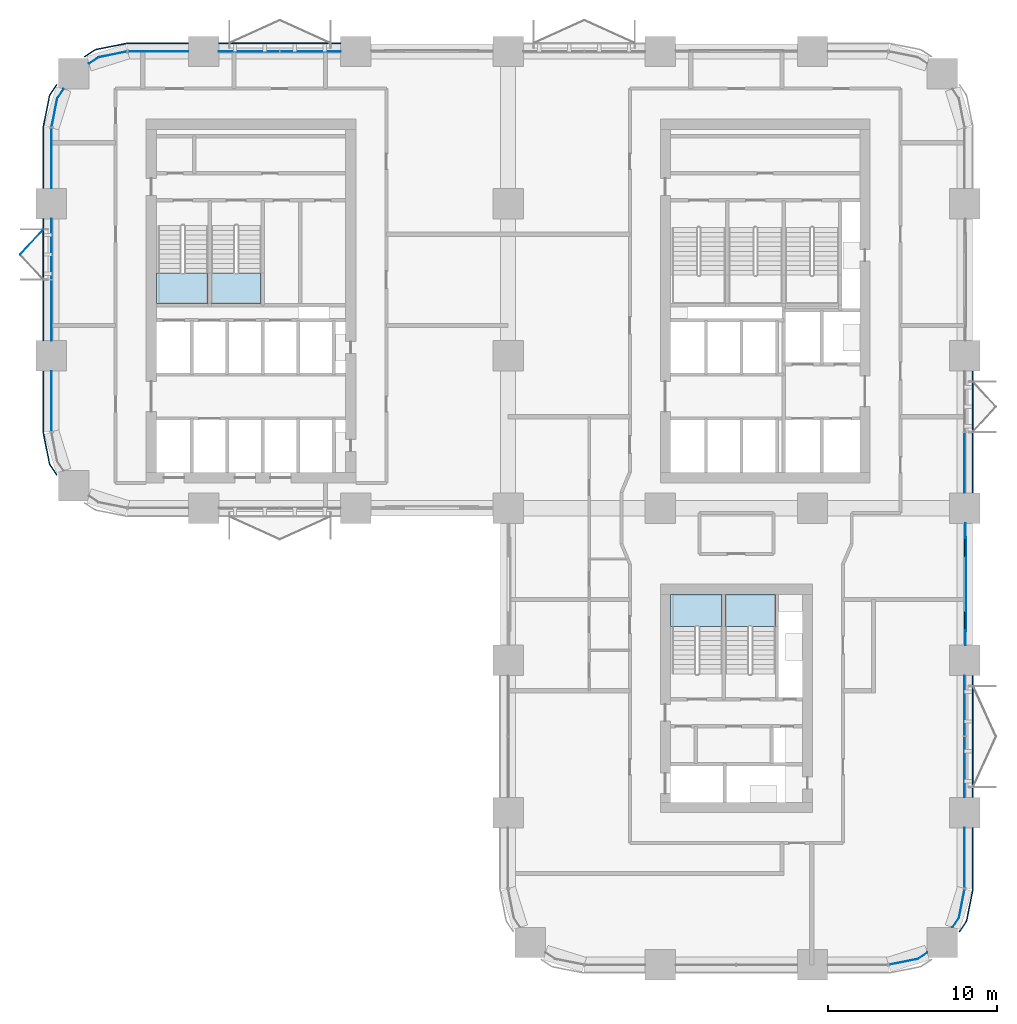
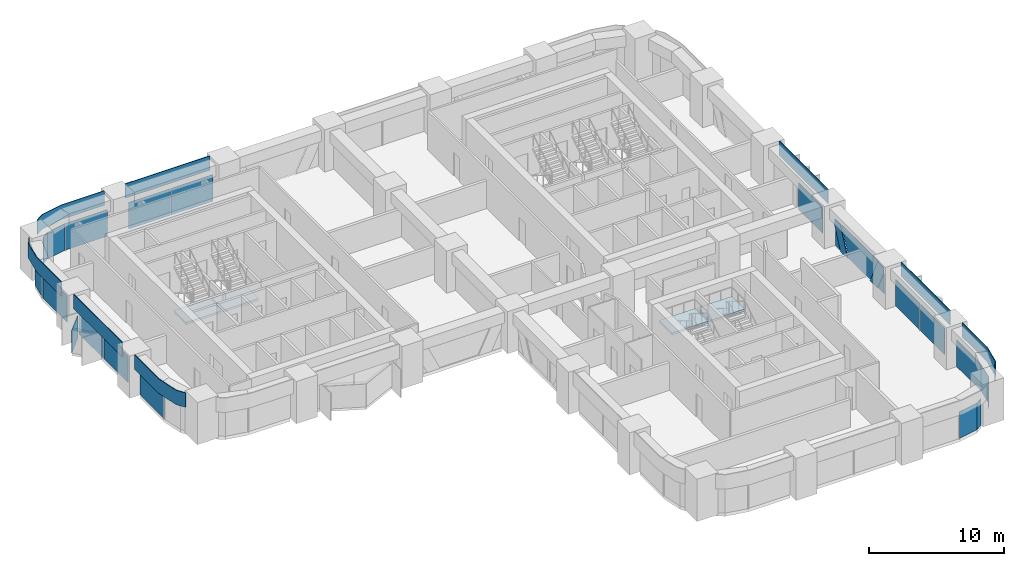
# One storey, part 10 of 18: 29 plates, 4 slabs, 14 elements without a shape of their own.
"""IFC4 building model written with IfcOpenShell, lengths in metres."""

from ifc_helpers import new_model, si_unit, direction, frame, origin, origin_2d, place, context, subcontext, project, spatial, polyline, rectangle, outline, extrude, material, layer, layer_set, type_object, element, aggregate, save


model = new_model("IFC4")

# Units and contexts
model_context = context("Model", 3, precision=1e-05, world=origin(), true_north=direction((0.0, 1.0)))
body_context = subcontext(model_context, "Body", "Model", "MODEL_VIEW")
ifc_project = project(units=[si_unit("LENGTHUNIT", "METRE"), si_unit("AREAUNIT", "SQUARE_METRE"), si_unit("VOLUMEUNIT", "CUBIC_METRE"), si_unit("PLANEANGLEUNIT", "RADIAN"), si_unit("MASSUNIT", "GRAM", prefix="KILO")], contexts=[model_context])

# Site, building, storey
site_placement = place(None, origin())
site = spatial("IfcSite", under=ifc_project, at=site_placement, CompositionType="ELEMENT")
building_placement = place(site_placement, origin())
building = spatial("IfcBuilding", under=site, at=building_placement, Name="Tessera Arch", CompositionType="ELEMENT")
storey_placement = place(building_placement, frame((0.0, 0.0, 89.199951171875)))
storey = spatial("IfcBuildingStorey", under=building, at=storey_placement, Name="L20", CompositionType="ELEMENT", Elevation=89.199951171875)

# Curtain wall, plates
ifc_material_1 = material(Name="CW1 curtain wall")
curtain_wall_type_1 = type_object("IfcCurtainWallType", Name="CW1 curtain wall", PredefinedType="NOTDEFINED", material=ifc_material_1)
curtain_wall_1_placement = place(storey_placement, origin())
curtain_wall_1 = element("IfcCurtainWall", 1, at=curtain_wall_1_placement, inside=storey, type_object=curtain_wall_type_1, Name="CW1 curtain wall N54.0/3 L20", PredefinedType="NOTDEFINED")
ifc_material_2 = material(Name="Clear low-e glass", Category="glass")
ifc_material_3 = material(Name="Clear low-e glass", Category="glass")
ifc_layer_1 = layer(ifc_material_3, 0.028076171875)
ifc_layer_set_1 = layer_set([ifc_layer_1], Name="CW1 glass panel")
plate_type_1 = type_object("IfcPlateType", Name="CW1 glass panel", PredefinedType="CURTAIN_PANEL", material=ifc_layer_set_1)
plate_1_placement = place(storey_placement, frame((15.31494140625, 54.0, 0.0), z_axis=(0.0, 0.0, 1.0), x_axis=(-1.0, 0.0, 0.0)))
plate_1 = element("IfcPlate", 2, at=plate_1_placement, type_object=plate_type_1, material=ifc_material_2, Name="CW1 glass panel N54.0/3 1.1.1", PredefinedType="CURTAIN_PANEL", context=body_context, shape_type="SweptSolid", body=[
    extrude(rectangle(XDim=3.570068359375, YDim=0.028076171875, at=origin_2d()), origin(), (0.0, 0.0, 1.0), 2.39990234375),
])
plate_2_placement = place(storey_placement, frame((11.68505859375, 54.0, 0.0), z_axis=(0.0, 0.0, 1.0), x_axis=(-1.0, 0.0, 0.0)))
plate_2 = element("IfcPlate", 3, at=plate_2_placement, type_object=plate_type_1, material=ifc_material_2, Name="CW1 glass panel N54.0/3 1.2.1", PredefinedType="CURTAIN_PANEL", context=body_context, shape_type="SweptSolid", body=[
    extrude(rectangle(XDim=3.570068359375, YDim=0.028076171875, at=origin_2d()), origin(), (0.0, 0.0, 1.0), 2.39990234375),
])

curtain_wall_2_placement = place(storey_placement, origin())
curtain_wall_2 = element("IfcCurtainWall", 4, at=curtain_wall_2_placement, inside=storey, type_object=curtain_wall_type_1, Name="CW1 curtain wall W0.27/1 L20", PredefinedType="NOTDEFINED")
plate_3_placement = place(storey_placement, frame((0.0, 42.31494140625, 0.0), z_axis=(0.0, 0.0, 1.0), x_axis=(0.0, -1.0, 0.0)))
plate_3 = element("IfcPlate", 5, at=plate_3_placement, type_object=plate_type_1, material=ifc_material_2, Name="CW1 glass panel W0.27/1 1.1.1", PredefinedType="CURTAIN_PANEL", context=body_context, shape_type="SweptSolid", body=[
    extrude(rectangle(XDim=3.570068359375, YDim=0.028076171875, at=origin_2d()), origin(), (0.0, 0.0, 1.0), 2.39990234375),
])
plate_4_placement = place(storey_placement, frame((0.0, 38.68505859375, 0.0), z_axis=(0.0, 0.0, 1.0), x_axis=(0.0, -1.0, 0.0)))
plate_4 = element("IfcPlate", 6, at=plate_4_placement, type_object=plate_type_1, material=ifc_material_2, Name="CW1 glass panel W0.27/1 1.2.1", PredefinedType="CURTAIN_PANEL", context=body_context, shape_type="SweptSolid", body=[
    extrude(rectangle(XDim=3.570068359375, YDim=0.028076171875, at=origin_2d()), origin(), (0.0, 0.0, 1.0), 2.39990234375),
])

curtain_wall_3_placement = place(storey_placement, origin())
curtain_wall_3 = element("IfcCurtainWall", 7, at=curtain_wall_3_placement, inside=storey, type_object=curtain_wall_type_1, Name="CW1 curtain wall E54.0/1 L20", PredefinedType="NOTDEFINED")
plate_5_placement = place(storey_placement, frame((54.0, 11.68505859375, 0.0), z_axis=(0.0, 0.0, 1.0), x_axis=(0.0, 1.0, 0.0)))
plate_5 = element("IfcPlate", 8, at=plate_5_placement, type_object=plate_type_1, material=ifc_material_2, Name="CW1 glass panel E54.0/1 1.1.1", PredefinedType="CURTAIN_PANEL", context=body_context, shape_type="SweptSolid", body=[
    extrude(rectangle(XDim=3.570068359375, YDim=0.028076171875, at=origin_2d()), origin(), (0.0, 0.0, 1.0), 2.39990234375),
])
plate_6_placement = place(storey_placement, frame((54.0, 15.31494140625, 0.0), z_axis=(0.0, 0.0, 1.0), x_axis=(0.0, 1.0, 0.0)))
plate_6 = element("IfcPlate", 9, at=plate_6_placement, type_object=plate_type_1, material=ifc_material_2, Name="CW1 glass panel E54.0/1 1.2.1", PredefinedType="CURTAIN_PANEL", context=body_context, shape_type="SweptSolid", body=[
    extrude(rectangle(XDim=3.570068359375, YDim=0.028076171875, at=origin_2d()), origin(), (0.0, 0.0, 1.0), 2.39990234375),
])

# Curtain wall, plate
curtain_wall_4_placement = place(storey_placement, origin())
curtain_wall_4 = element("IfcCurtainWall", 10, at=curtain_wall_4_placement, inside=storey, type_object=curtain_wall_type_1, Name="CW1 curtain wall E54.0/3 L20", PredefinedType="NOTDEFINED")
plate_7_placement = place(storey_placement, frame((54.0, 29.68505859375, 0.0), z_axis=(0.0, 0.0, 1.0), x_axis=(0.0, 1.0, 0.0)))
plate_7 = element("IfcPlate", 11, at=plate_7_placement, type_object=plate_type_1, material=ifc_material_2, Name="CW1 glass panel E54.0/3 1.1.1", PredefinedType="CURTAIN_PANEL", context=body_context, shape_type="SweptSolid", body=[
    extrude(rectangle(XDim=3.570068359375, YDim=0.028076171875, at=origin_2d()), origin(), (0.0, 0.0, 1.0), 2.39990234375),
])

# Plate
ifc_material_4 = material(Name="Pale anodised aluminium panel", Category="aluminium")
ifc_layer_2 = layer(ifc_material_4, 0.06005859375)
ifc_layer_set_2 = layer_set([ifc_layer_2], Name="CW1 spandrel panel")
plate_type_2 = type_object("IfcPlateType", Name="CW1 spandrel panel", PredefinedType="CURTAIN_PANEL", material=ifc_layer_set_2)
plate_8_placement = place(storey_placement, frame((13.5, 54.47998046875, 2.5), z_axis=(0.0, 0.0, 1.0), x_axis=(-1.0, 0.0, 0.0)))
plate_8 = element("IfcPlate", 12, at=plate_8_placement, type_object=plate_type_2, Name="CW1 spandrel panel N54.0/3", PredefinedType="CURTAIN_PANEL", context=body_context, shape_type="SweptSolid", body=[
    extrude(rectangle(XDim=7.199951171875, YDim=0.06005859375, at=origin_2d()), origin(), (0.0, 0.0, 1.0), 1.300048828125),
])

aggregate(curtain_wall_1, [plate_1, plate_2, plate_8])

plate_9_placement = place(storey_placement, frame((-0.47998046875, 40.5, 2.5), z_axis=(0.0, 0.0, 1.0), x_axis=(0.0, -1.0, 0.0)))
plate_9 = element("IfcPlate", 13, at=plate_9_placement, type_object=plate_type_2, Name="CW1 spandrel panel W0.27/1", PredefinedType="CURTAIN_PANEL", context=body_context, shape_type="SweptSolid", body=[
    extrude(rectangle(XDim=7.199951171875, YDim=0.06005859375, at=origin_2d()), origin(), (0.0, 0.0, 1.0), 1.300048828125),
])

aggregate(curtain_wall_2, [plate_3, plate_4, plate_9])

plate_10_placement = place(storey_placement, frame((54.47998046875, 13.5, 2.5), z_axis=(0.0, 0.0, 1.0), x_axis=(0.0, 1.0, 0.0)))
plate_10 = element("IfcPlate", 14, at=plate_10_placement, type_object=plate_type_2, Name="CW1 spandrel panel E54.0/1", PredefinedType="CURTAIN_PANEL", context=body_context, shape_type="SweptSolid", body=[
    extrude(rectangle(XDim=7.199951171875, YDim=0.06005859375, at=origin_2d()), origin(), (0.0, 0.0, 1.0), 1.300048828125),
])

aggregate(curtain_wall_3, [plate_5, plate_6, plate_10])

plate_11_placement = place(storey_placement, frame((54.47998046875, 31.5, 2.5), z_axis=(0.0, 0.0, 1.0), x_axis=(0.0, 1.0, 0.0)))
plate_11 = element("IfcPlate", 15, at=plate_11_placement, type_object=plate_type_2, Name="CW1 spandrel panel E54.0/3", PredefinedType="CURTAIN_PANEL", context=body_context, shape_type="SweptSolid", body=[
    extrude(rectangle(XDim=7.199951171875, YDim=0.06005859375, at=origin_2d()), origin(), (0.0, 0.0, 1.0), 1.300048828125),
])

aggregate(curtain_wall_4, [plate_7, plate_11])

# Curtain wall, plates
ifc_material_5 = material(Name="CW2 curtain wall")
curtain_wall_type_2 = type_object("IfcCurtainWallType", Name="CW2 curtain wall", PredefinedType="NOTDEFINED", material=ifc_material_5)
curtain_wall_5_placement = place(storey_placement, origin())
curtain_wall_5 = element("IfcCurtainWall", 16, at=curtain_wall_5_placement, inside=storey, type_object=curtain_wall_type_2, Name="CW2 curtain wall N54.0/4 L20", PredefinedType="NOTDEFINED")
ifc_material_6 = material(Name="Clear low-e glass", Category="glass")
ifc_layer_3 = layer(ifc_material_6, 0.028076171875)
ifc_layer_set_3 = layer_set([ifc_layer_3], Name="CW2 glass panel")
plate_type_3 = type_object("IfcPlateType", Name="CW2 glass panel", PredefinedType="CURTAIN_PANEL", material=ifc_layer_set_3)
plate_12_placement = place(storey_placement, frame((6.320068359375, 54.0, 0.0), z_axis=(0.0, 0.0, 1.0), x_axis=(-1.0, 0.0, 0.0)))
plate_12 = element("IfcPlate", 17, at=plate_12_placement, type_object=plate_type_3, material=ifc_material_2, Name="CW2 glass panel N54.0/4 1.1", PredefinedType="CURTAIN_PANEL", context=body_context, shape_type="SweptSolid", body=[
    extrude(rectangle(XDim=3.56005859375, YDim=0.028076171875, at=origin_2d()), origin(), (0.0, 0.0, 1.0), 2.39990234375),
])
plate_13_placement = place(storey_placement, origin())
plate_13 = element("IfcPlate", 18, at=plate_13_placement, type_object=plate_type_3, material=ifc_material_2, Name="CW2 curved glass panel N54.0/4 2.1", PredefinedType="CURTAIN_PANEL", context=body_context, shape_type="SweptSolid", body=[
    extrude(outline(polyline([(2.783447265625, 53.644287109375), (4.46337890625, 53.978515625), (4.4580078125, 54.005859375), (2.7724609375, 53.670654296875), (2.210205078125, 53.294921875), (2.225830078125, 53.271728515625), (2.783447265625, 53.644287109375)])), origin(), (0.0, 0.0, 1.0), 2.400146484375),
])

curtain_wall_6_placement = place(storey_placement, origin())
curtain_wall_6 = element("IfcCurtainWall", 19, at=curtain_wall_6_placement, inside=storey, type_object=curtain_wall_type_2, Name="CW2 curtain wall W0.27/0 L20", PredefinedType="NOTDEFINED")
plate_14_placement = place(storey_placement, frame((0.0, 47.679931640625, 0.0), z_axis=(0.0, 0.0, 1.0), x_axis=(0.0, -1.0, 0.0)))
plate_14 = element("IfcPlate", 20, at=plate_14_placement, type_object=plate_type_3, material=ifc_material_2, Name="CW2 glass panel W0.27/0 1.1", PredefinedType="CURTAIN_PANEL", context=body_context, shape_type="SweptSolid", body=[
    extrude(rectangle(XDim=3.56005859375, YDim=0.028076171875, at=origin_2d()), origin(), (0.0, 0.0, 1.0), 2.39990234375),
])
plate_15_placement = place(storey_placement, origin())
plate_15 = element("IfcPlate", 21, at=plate_15_placement, type_object=plate_type_3, material=ifc_material_2, Name="CW2 curved glass panel W0.27/0 2.1", PredefinedType="CURTAIN_PANEL", context=body_context, shape_type="SweptSolid", body=[
    extrude(outline(polyline([(0.355712890625, 51.216552734375), (0.728271484375, 51.774169921875), (0.705078125, 51.789794921875), (0.329345703125, 51.2275390625), (-0.005859375, 49.5419921875), (0.021484375, 49.53662109375), (0.355712890625, 51.216552734375)])), origin(), (0.0, 0.0, 1.0), 2.400146484375),
])

# Curtain wall, plate
curtain_wall_7_placement = place(storey_placement, origin())
curtain_wall_7 = element("IfcCurtainWall", 22, at=curtain_wall_7_placement, inside=storey, type_object=curtain_wall_type_2, Name="CW2 curtain wall W0.27/2 L20", PredefinedType="NOTDEFINED")
plate_16_placement = place(storey_placement, frame((0.0, 33.320068359375, 0.0), z_axis=(0.0, 0.0, 1.0), x_axis=(0.0, -1.0, 0.0)))
plate_16 = element("IfcPlate", 23, at=plate_16_placement, type_object=plate_type_3, material=ifc_material_2, Name="CW2 glass panel W0.27/2 1.1", PredefinedType="CURTAIN_PANEL", context=body_context, shape_type="SweptSolid", body=[
    extrude(rectangle(XDim=3.56005859375, YDim=0.028076171875, at=origin_2d()), origin(), (0.0, 0.0, 1.0), 2.39990234375),
])

curtain_wall_8_placement = place(storey_placement, origin())
curtain_wall_8 = element("IfcCurtainWall", 24, at=curtain_wall_8_placement, inside=storey, type_object=curtain_wall_type_2, Name="CW2 curtain wall S0.27/2 L20", PredefinedType="NOTDEFINED")
plate_17_placement = place(storey_placement, origin())
plate_17 = element("IfcPlate", 25, at=plate_17_placement, type_object=plate_type_3, material=ifc_material_2, Name="CW2 curved glass panel S0.27/2 2.1", PredefinedType="CURTAIN_PANEL", context=body_context, shape_type="SweptSolid", body=[
    extrude(outline(polyline([(51.216552734375, 0.355712890625), (49.53662109375, 0.021484375), (49.5419921875, -0.005859375), (51.2275390625, 0.329345703125), (51.789794921875, 0.705078125), (51.774169921875, 0.728271484375), (51.216552734375, 0.355712890625)])), origin(), (0.0, 0.0, 1.0), 2.400146484375),
])
aggregate(curtain_wall_8, [plate_17])

# Curtain wall, plates
curtain_wall_9_placement = place(storey_placement, origin())
curtain_wall_9 = element("IfcCurtainWall", 26, at=curtain_wall_9_placement, inside=storey, type_object=curtain_wall_type_2, Name="CW2 curtain wall E54.0/0 L20", PredefinedType="NOTDEFINED")
plate_18_placement = place(storey_placement, frame((54.0, 6.320068359375, 0.0), z_axis=(0.0, 0.0, 1.0), x_axis=(0.0, 1.0, 0.0)))
plate_18 = element("IfcPlate", 27, at=plate_18_placement, type_object=plate_type_3, material=ifc_material_2, Name="CW2 glass panel E54.0/0 1.1", PredefinedType="CURTAIN_PANEL", context=body_context, shape_type="SweptSolid", body=[
    extrude(rectangle(XDim=3.56005859375, YDim=0.028076171875, at=origin_2d()), origin(), (0.0, 0.0, 1.0), 2.39990234375),
])
plate_19_placement = place(storey_placement, origin())
plate_19 = element("IfcPlate", 28, at=plate_19_placement, type_object=plate_type_3, material=ifc_material_2, Name="CW2 curved glass panel E54.0/0 2.1", PredefinedType="CURTAIN_PANEL", context=body_context, shape_type="SweptSolid", body=[
    extrude(outline(polyline([(53.644287109375, 2.783447265625), (53.271728515625, 2.225830078125), (53.294921875, 2.210205078125), (53.670654296875, 2.7724609375), (54.005859375, 4.4580078125), (53.978515625, 4.46337890625), (53.644287109375, 2.783447265625)])), origin(), (0.0, 0.0, 1.0), 2.400146484375),
])

# Plate
ifc_material_7 = material(Name="Pale anodised aluminium panel", Category="aluminium")
ifc_layer_4 = layer(ifc_material_7, 0.06005859375)
ifc_layer_set_4 = layer_set([ifc_layer_4], Name="CW2 spandrel panel")
plate_type_4 = type_object("IfcPlateType", Name="CW2 spandrel panel", PredefinedType="CURTAIN_PANEL", material=ifc_layer_set_4)
plate_20_placement = place(storey_placement, frame((0.0, 0.0, 2.5)))
plate_20 = element("IfcPlate", 29, at=plate_20_placement, type_object=plate_type_4, Name="CW2 spandrel panel N54.0/4", PredefinedType="CURTAIN_PANEL", context=body_context, shape_type="SweptSolid", body=[
    extrude(outline(polyline([(4.500732421875, 54.449951171875), (8.10009765625, 54.449951171875), (8.10009765625, 54.510009765625), (4.499267578125, 54.510009765625), (4.449951171875, 54.507568359375), (4.401123046875, 54.500244140625), (2.677734375, 54.157470703125), (2.6298828125, 54.1455078125), (2.582763671875, 54.128662109375), (2.537353515625, 54.107177734375), (2.4951171875, 54.08203125), (1.9345703125, 53.707275390625), (1.968017578125, 53.657470703125), (2.52734375, 54.03125), (2.565673828125, 54.05419921875), (2.605712890625, 54.0732421875), (2.647216796875, 54.088134765625), (2.69091796875, 54.09912109375), (4.411376953125, 54.441162109375), (4.455810546875, 54.44775390625), (4.500732421875, 54.449951171875)])), origin(), (0.0, 0.0, 1.0), 1.300048828125),
])

aggregate(curtain_wall_5, [plate_12, plate_13, plate_20])

plate_21_placement = place(storey_placement, frame((0.0, 0.0, 2.5)))
plate_21 = element("IfcPlate", 30, at=plate_21_placement, type_object=plate_type_4, Name="CW2 spandrel panel W0.27/0", PredefinedType="CURTAIN_PANEL", context=body_context, shape_type="SweptSolid", body=[
    extrude(outline(polyline([(-0.03125, 51.47265625), (0.342529296875, 52.031982421875), (0.292724609375, 52.0654296875), (-0.08203125, 51.5048828125), (-0.107177734375, 51.462646484375), (-0.128662109375, 51.417236328125), (-0.1455078125, 51.3701171875), (-0.157470703125, 51.322265625), (-0.500244140625, 49.598876953125), (-0.507568359375, 49.550048828125), (-0.510009765625, 49.500732421875), (-0.510009765625, 45.89990234375), (-0.449951171875, 45.89990234375), (-0.449951171875, 49.499267578125), (-0.44775390625, 49.544189453125), (-0.441162109375, 49.588623046875), (-0.09912109375, 51.30908203125), (-0.088134765625, 51.352783203125), (-0.0732421875, 51.394287109375), (-0.05419921875, 51.434326171875), (-0.03125, 51.47265625)])), origin(), (0.0, 0.0, 1.0), 1.300048828125),
])

aggregate(curtain_wall_6, [plate_14, plate_15, plate_21])

plate_22_placement = place(storey_placement, frame((0.0, 0.0, 2.5)))
plate_22 = element("IfcPlate", 31, at=plate_22_placement, type_object=plate_type_4, Name="CW2 spandrel panel W0.27/2", PredefinedType="CURTAIN_PANEL", context=body_context, shape_type="SweptSolid", body=[
    extrude(outline(polyline([(-0.449951171875, 31.500732421875), (-0.449951171875, 35.10009765625), (-0.510009765625, 35.10009765625), (-0.510009765625, 31.499267578125), (-0.507568359375, 31.449951171875), (-0.500244140625, 31.401123046875), (-0.157470703125, 29.677734375), (-0.1455078125, 29.6298828125), (-0.128662109375, 29.582763671875), (-0.107177734375, 29.537353515625), (-0.08203125, 29.4951171875), (0.292724609375, 28.9345703125), (0.342529296875, 28.968017578125), (-0.03125, 29.52734375), (-0.05419921875, 29.565673828125), (-0.0732421875, 29.605712890625), (-0.088134765625, 29.647216796875), (-0.09912109375, 29.69091796875), (-0.441162109375, 31.411376953125), (-0.44775390625, 31.455810546875), (-0.449951171875, 31.500732421875)])), origin(), (0.0, 0.0, 1.0), 1.300048828125),
])

aggregate(curtain_wall_7, [plate_16, plate_22])

plate_23_placement = place(storey_placement, frame((0.0, 0.0, 2.5)))
plate_23 = element("IfcPlate", 32, at=plate_23_placement, type_object=plate_type_4, Name="CW2 spandrel panel E54.0/0", PredefinedType="CURTAIN_PANEL", context=body_context, shape_type="SweptSolid", body=[
    extrude(outline(polyline([(54.03125, 2.52734375), (53.657470703125, 1.968017578125), (53.707275390625, 1.9345703125), (54.08203125, 2.4951171875), (54.107177734375, 2.537353515625), (54.128662109375, 2.582763671875), (54.1455078125, 2.6298828125), (54.157470703125, 2.677734375), (54.500244140625, 4.401123046875), (54.507568359375, 4.449951171875), (54.510009765625, 4.499267578125), (54.510009765625, 8.10009765625), (54.449951171875, 8.10009765625), (54.449951171875, 4.500732421875), (54.44775390625, 4.455810546875), (54.441162109375, 4.411376953125), (54.09912109375, 2.69091796875), (54.088134765625, 2.647216796875), (54.0732421875, 2.605712890625), (54.05419921875, 2.565673828125), (54.03125, 2.52734375)])), origin(), (0.0, 0.0, 1.0), 1.300048828125),
])

aggregate(curtain_wall_9, [plate_18, plate_19, plate_23])

# Curtain wall, plates
ifc_material_8 = material(Name="CW3 curtain wall")
curtain_wall_type_3 = type_object("IfcCurtainWallType", Name="CW3 curtain wall", PredefinedType="NOTDEFINED", material=ifc_material_8)
curtain_wall_10_placement = place(storey_placement, origin())
curtain_wall_10 = element("IfcCurtainWall", 33, at=curtain_wall_10_placement, inside=storey, type_object=curtain_wall_type_3, Name="CW3 curtain wall E54.0/2 L20", PredefinedType="NOTDEFINED")
ifc_material_9 = material(Name="Pale anodised aluminium panel", Category="aluminium")
ifc_layer_5 = layer(ifc_material_9, 0.06005859375)
ifc_layer_set_5 = layer_set([ifc_layer_5], Name="CW3 diagonal panel")
plate_type_5 = type_object("IfcPlateType", Name="CW3 diagonal panel", PredefinedType="CURTAIN_PANEL", material=ifc_layer_set_5)
plate_24_placement = place(storey_placement, frame((54.030029296875, 26.10009765625, 2.400146484375), z_axis=(1.0, 0.0, 0.0), x_axis=(0.0, -1.0, 0.0)))
plate_24 = element("IfcPlate", 34, at=plate_24_placement, type_object=plate_type_5, Name="CW3 diagonal panel E54.0/2 1", PredefinedType="CURTAIN_PANEL", context=body_context, shape_type="SweptSolid", body=[
    extrude(outline(polyline([(0.0, 0.0), (0.834228515625, 0.0), (1.97119140625, 2.400146484375), (0.87109375, 2.400146484375), (0.0, 0.56103515625), (0.0, 0.0)])), origin(), (0.0, 0.0, -1.0), 0.06005859375),
])
plate_25_placement = place(storey_placement, frame((54.030029296875, 18.89990234375, 2.400146484375), z_axis=(1.0, 0.0, 0.0), x_axis=(0.0, 0.0, -1.0)))
plate_25 = element("IfcPlate", 35, at=plate_25_placement, type_object=plate_type_5, Name="CW3 diagonal panel E54.0/2 2", PredefinedType="CURTAIN_PANEL", context=body_context, shape_type="SweptSolid", body=[
    extrude(outline(polyline([(0.0, 0.0), (0.56103515625, 0.0), (2.400146484375, 0.87109375), (2.400146484375, 1.97119140625), (0.0, 0.834228515625), (0.0, 0.0)])), origin(), (0.0, 0.0, -1.0), 0.06005859375),
])
ifc_material_10 = material(Name="Clear low-e glass", Category="glass")
ifc_layer_6 = layer(ifc_material_10, 0.028076171875)
ifc_layer_set_6 = layer_set([ifc_layer_6], Name="CW3 glass panel")
plate_type_6 = type_object("IfcPlateType", Name="CW3 glass panel", PredefinedType="CURTAIN_PANEL", material=ifc_layer_set_6)
plate_26_placement = place(storey_placement, frame((54.05810546875, 18.89990234375, 0.0), z_axis=(1.0, 0.0, 0.0), x_axis=(0.0, 1.0, 0.0)))
plate_26 = element("IfcPlate", 36, at=plate_26_placement, type_object=plate_type_6, material=ifc_material_2, Name="CW3 triangulated glass panel E54.0/2 1", PredefinedType="CURTAIN_PANEL", context=body_context, shape_type="SweptSolid", body=[
    extrude(outline(polyline([(0.0, 0.0), (0.87109375, 0.0), (0.0, 1.839111328125), (0.0, 0.0)])), origin(), (0.0, 0.0, -1.0), 0.028076171875),
])
plate_27_placement = place(storey_placement, frame((54.0859375, 25.265869140625, 2.400146484375), z_axis=(1.0, 0.0, 0.0), x_axis=(0.0, -1.0, 0.0)))
plate_27 = element("IfcPlate", 37, at=plate_27_placement, type_object=plate_type_6, material=ifc_material_2, Name="CW3 triangulated glass panel E54.0/2 2", PredefinedType="CURTAIN_PANEL", context=body_context, shape_type="SweptSolid", body=[
    extrude(outline(polyline([(0.0, 0.0), (5.53173828125, 0.0), (4.394775390625, 2.400146484375), (1.136962890625, 2.400146484375), (0.0, 0.0)])), origin(), (0.0, 0.0, -1.0), 0.028076171875),
])
plate_28_placement = place(storey_placement, frame((54.05810546875, 26.10009765625, 0.0), z_axis=(1.0, 0.0, 0.0), x_axis=(0.0, 0.0, 1.0)))
plate_28 = element("IfcPlate", 38, at=plate_28_placement, type_object=plate_type_6, material=ifc_material_2, Name="CW3 triangulated glass panel E54.0/2 3", PredefinedType="CURTAIN_PANEL", context=body_context, shape_type="SweptSolid", body=[
    extrude(outline(polyline([(0.0, 0.0), (1.839111328125, 0.0), (0.0, 0.87109375), (0.0, 0.0)])), origin(), (0.0, 0.0, -1.0), 0.028076171875),
])
aggregate(curtain_wall_10, [plate_26, plate_27, plate_28, plate_24, plate_25])

# Stair, slab
ifc_material_11 = material(Name="Concrete C40/50", Category="concrete")
stair_type = type_object("IfcStairType", Name="Dogleg stair 1400", PredefinedType="HALF_TURN_STAIR", material=ifc_material_11)
stair_1_placement = place(storey_placement, origin())
stair_1 = element("IfcStair", 39, at=stair_1_placement, inside=storey, type_object=stair_type, Name="L20 S2a", PredefinedType="HALF_TURN_STAIR")
ifc_material_12 = material(Name="Concrete C40/50", Category="concrete")
ifc_layer_7 = layer(ifc_material_12, 0.300048828125)
ifc_layer_set_7 = layer_set([ifc_layer_7], Name="Stair landing 300")
slab_type = type_object("IfcSlabType", Name="Stair landing 300", PredefinedType="LANDING", material=ifc_layer_set_7)
slab_1_placement = place(storey_placement, frame((0.0, 0.0, 1.699951171875)))
slab_1 = element("IfcSlab", 40, at=slab_1_placement, type_object=slab_type, Name="S2a landing 1", PredefinedType="LANDING", context=body_context, shape_type="SweptSolid", body=[
    extrude(outline(polyline([(6.199951171875, 40.89990234375), (6.199951171875, 39.10009765625), (9.25, 39.10009765625), (9.25, 40.89990234375), (6.199951171875, 40.89990234375)])), origin(), (0.0, 0.0, 1.0), 0.2001953125),
])
aggregate(stair_1, [slab_1])

stair_2_placement = place(storey_placement, origin())
stair_2 = element("IfcStair", 41, at=stair_2_placement, inside=storey, type_object=stair_type, Name="L20 S2b", PredefinedType="HALF_TURN_STAIR")
slab_2_placement = place(storey_placement, frame((0.0, 0.0, 1.699951171875)))
slab_2 = element("IfcSlab", 42, at=slab_2_placement, type_object=slab_type, Name="S2b landing 1", PredefinedType="LANDING", context=body_context, shape_type="SweptSolid", body=[
    extrude(outline(polyline([(9.449951171875, 40.89990234375), (9.449951171875, 39.10009765625), (12.39990234375, 39.10009765625), (12.39990234375, 40.89990234375), (9.449951171875, 40.89990234375)])), origin(), (0.0, 0.0, 1.0), 0.2001953125),
])
aggregate(stair_2, [slab_2])

stair_3_placement = place(storey_placement, origin())
stair_3 = element("IfcStair", 43, at=stair_3_placement, inside=storey, type_object=stair_type, Name="L20 S3a", PredefinedType="HALF_TURN_STAIR")
slab_3_placement = place(storey_placement, frame((0.0, 0.0, 1.699951171875)))
slab_3 = element("IfcSlab", 44, at=slab_3_placement, type_object=slab_type, Name="S3a landing 1", PredefinedType="LANDING", context=body_context, shape_type="SweptSolid", body=[
    extrude(outline(polyline([(39.64990234375, 20.0), (39.64990234375, 21.89990234375), (36.60009765625, 21.89990234375), (36.60009765625, 20.0), (39.64990234375, 20.0)])), origin(), (0.0, 0.0, 1.0), 0.2001953125),
])
aggregate(stair_3, [slab_3])

stair_4_placement = place(storey_placement, origin())
stair_4 = element("IfcStair", 45, at=stair_4_placement, inside=storey, type_object=stair_type, Name="L20 S3b", PredefinedType="HALF_TURN_STAIR")
slab_4_placement = place(storey_placement, frame((0.0, 0.0, 1.699951171875)))
slab_4 = element("IfcSlab", 46, at=slab_4_placement, type_object=slab_type, Name="S3b landing 1", PredefinedType="LANDING", context=body_context, shape_type="SweptSolid", body=[
    extrude(outline(polyline([(42.800048828125, 20.0), (42.800048828125, 21.89990234375), (39.85009765625, 21.89990234375), (39.85009765625, 20.0), (42.800048828125, 20.0)])), origin(), (0.0, 0.0, 1.0), 0.2001953125),
])
aggregate(stair_4, [slab_4])

# Plate
ifc_material_13 = material(Name="Clear low-e glass", Category="glass")
ifc_layer_8 = layer(ifc_material_13, 0.028076171875)
ifc_layer_set_8 = layer_set([ifc_layer_8], Name="Window box glass facet")
plate_type_7 = type_object("IfcPlateType", Name="Window box glass facet", PredefinedType="SHEET", material=ifc_layer_set_8)
plate_29_placement = place(storey_placement, frame((-1.179931640625, 42.72509765625, 0.219970703125), z_axis=(0.0, 0.0, 1.0), x_axis=(-0.678700720617, -0.734414958885, 0.0)))
element("IfcPlate", 47, at=plate_29_placement, inside=storey, type_object=plate_type_7, Name="Window box W0.27/1.0 1x1 glass", PredefinedType="SHEET", context=body_context, shape_type="SweptSolid", body=[
    extrude(rectangle(XDim=1.974365234375, YDim=0.028076171875, at=origin_2d()), origin(), (0.0, 0.0, 1.0), 2.06005859375),
])

save(model, "model.ifc")
